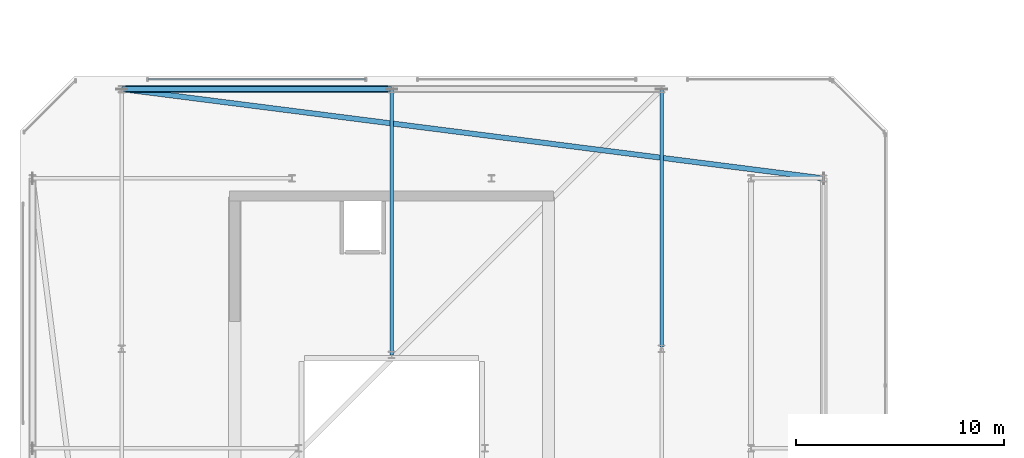
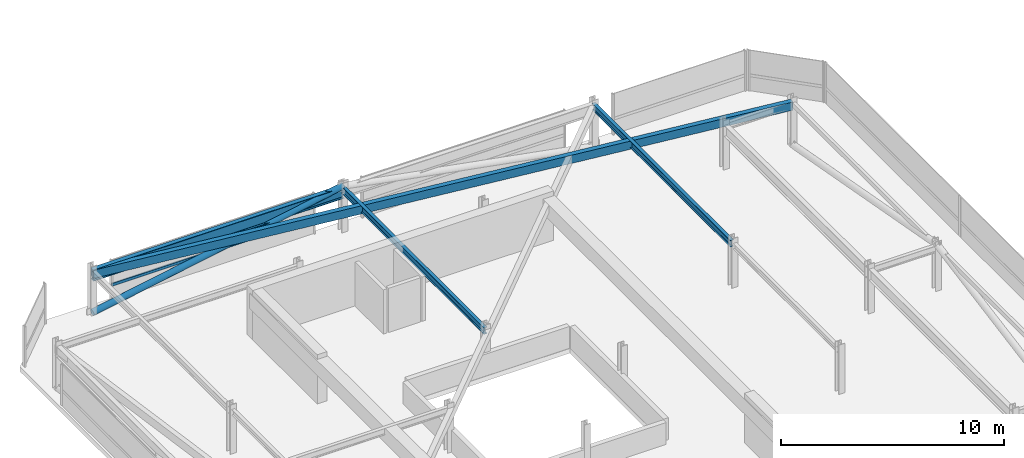
# One storey, part 23 of 42: 4 beams, 2 members, 1 element without a shape of its own.
"""IFC4 building model written with IfcOpenShell, lengths in metres."""

from ifc_helpers import new_model, si_unit, direction, frame, origin, origin_2d, place, context, subcontext, project, spatial, hollow_rectangle, hollow_circle, i_section, extrude, material, material_profile, profile_set, type_object, element, aggregate, save


model = new_model("IFC4")

# Units and contexts
model_context = context("Model", 3, precision=1e-05, world=origin(), true_north=direction((0.0, 1.0)))
body_context = subcontext(model_context, "Body", "Model", "MODEL_VIEW")
ifc_project = project(units=[si_unit("LENGTHUNIT", "METRE"), si_unit("AREAUNIT", "SQUARE_METRE"), si_unit("VOLUMEUNIT", "CUBIC_METRE"), si_unit("PLANEANGLEUNIT", "RADIAN"), si_unit("MASSUNIT", "GRAM", prefix="KILO")], contexts=[model_context])

# Site, building, storey
site_placement = place(None, origin())
site = spatial("IfcSite", under=ifc_project, at=site_placement, CompositionType="ELEMENT")
building_placement = place(site_placement, origin())
building = spatial("IfcBuilding", under=site, at=building_placement, Name="Thornwick Lancets Civic Towers", CompositionType="ELEMENT")
storey_placement = place(building_placement, frame((0.0, 0.0, 284.10009765625)))
storey = spatial("IfcBuildingStorey", under=building, at=storey_placement, Name="C02", CompositionType="ELEMENT", Elevation=284.10009765625)

# Beams
ifc_material_1 = material(Name="Steel S355JR", Category="steel")
ifc_material_profile_1 = material_profile(ifc_material_1, i_section(OverallWidth=0.230224609375, OverallDepth=0.6171875, WebThickness=0.01318359375, FlangeThickness=0.022216796875, FilletRadius=0.0126953125, at=origin_2d()), Name="UKB 610x229x140")
ifc_profile_set_1 = profile_set([ifc_material_profile_1], Name="Steel S355JR")
beam_type_1 = type_object("IfcBeamType", Name="BM_GIRD_610_140", PredefinedType="BEAM", material=ifc_profile_set_1)
beam_1_placement = place(storey_placement, frame((12.5, 44.300048828125, 2.13134765625), z_axis=(1.0, 0.0, 0.0), x_axis=(0.0, 1.0, 0.0)))
element("IfcBeam", 1, at=beam_1_placement, inside=storey, type_object=beam_type_1, Name="BM-SPINE-C02-A-6-7", PredefinedType="BEAM", context=body_context, shape_type="SweptSolid", body=[
    extrude(i_section(OverallWidth=0.230224609375, OverallDepth=0.6171875, WebThickness=0.01318359375, FlangeThickness=0.022216796875, FilletRadius=0.0126953125, at=origin_2d()), origin(), (0.0, 0.0, 1.0), 13.0),
])
ifc_material_profile_2 = material_profile(ifc_material_1, i_section(OverallWidth=0.173095703125, OverallDepth=0.36328125, WebThickness=0.009033203125, FlangeThickness=0.015625, FilletRadius=0.01025390625, at=origin_2d()), Name="UKB 356x171x67")
ifc_profile_set_2 = profile_set([ifc_material_profile_2], Name="Steel S355JR")
beam_type_2 = type_object("IfcBeamType", Name="BM_JOIST_356_67", PredefinedType="JOIST", material=ifc_profile_set_2)
beam_2_placement = place(storey_placement, frame((25.5, 31.5, 2.25830078125), z_axis=(0.0, 1.0, 0.0), x_axis=(-1.0, 0.0, 0.0)))
element("IfcBeam", 2, at=beam_2_placement, inside=storey, type_object=beam_type_2, Name="BM-RADIN-C02-A08", PredefinedType="JOIST", context=body_context, shape_type="SweptSolid", body=[
    extrude(i_section(OverallWidth=0.173095703125, OverallDepth=0.36328125, WebThickness=0.009033203125, FlangeThickness=0.015625, FilletRadius=0.01025390625, at=origin_2d()), origin(), (0.0, 0.0, 1.0), 12.800048828125),
])
beam_3_placement = place(storey_placement, frame((38.5, 31.8798828125, 2.25830078125), z_axis=(0.0, 1.0, 0.0), x_axis=(-1.0, 0.0, 0.0)))
element("IfcBeam", 3, at=beam_3_placement, inside=storey, type_object=beam_type_2, Name="BM-RADIN-C02-A09", PredefinedType="JOIST", context=body_context, shape_type="SweptSolid", body=[
    extrude(i_section(OverallWidth=0.173095703125, OverallDepth=0.36328125, WebThickness=0.009033203125, FlangeThickness=0.015625, FilletRadius=0.01025390625, at=origin_2d()), origin(), (0.0, 0.0, 1.0), 12.420166015625),
])
ifc_material_profile_3 = material_profile(ifc_material_1, hollow_rectangle(XDim=0.25, YDim=0.449951171875, WallThickness=0.01611328125, at=origin_2d()), Name="RHS 450x250x16")
ifc_profile_set_3 = profile_set([ifc_material_profile_3], Name="Steel S355JR")
beam_type_3 = type_object("IfcBeamType", Name="BM_RING_RHS450", PredefinedType="BEAM", material=ifc_profile_set_3)
beam_4_placement = place(storey_placement, frame((46.300048828125, 40.0, 2.21484375), z_axis=(-0.992004437051, 0.126202998662, 0.0), x_axis=(-0.126202998662, -0.992004437051, 0.0)))
element("IfcBeam", 4, at=beam_4_placement, inside=storey, type_object=beam_type_3, Name="BM-CHAMF-C02-A-C1", PredefinedType="BEAM", context=body_context, shape_type="SweptSolid", body=[
    extrude(hollow_rectangle(XDim=0.25, YDim=0.449951171875, WallThickness=0.01611328125, at=origin_2d()), origin(), (0.0, 0.0, 1.0), 34.072509765625),
])

# Curtain wall, member
ifc_material_2 = material(Name="Crown ring acoustic-louvre and glazing screen wall", Category="glass")
curtain_wall_type = type_object("IfcCurtainWallType", Name="CW_SYS_07", PredefinedType="NOTDEFINED", material=ifc_material_2)
curtain_wall_placement = place(storey_placement, origin())
curtain_wall = element("IfcCurtainWall", 5, at=curtain_wall_placement, inside=storey, type_object=curtain_wall_type, Name="C02 Curtain Wall CW-C02-A-E4-S3", PredefinedType="NOTDEFINED")
ifc_material_3 = material(Name="Thermally broken bronze aluminium S355", Category="steel")
ifc_material_profile_4 = material_profile(ifc_material_3, hollow_rectangle(XDim=0.074951171875, YDim=0.14990234375, WallThickness=0.0048828125, at=origin_2d()), Name="RHS 150x75x5")
ifc_profile_set_4 = profile_set([ifc_material_profile_4], Name="Thermally broken bronze aluminium S355")
member_type_1 = type_object("IfcMemberType", Name="CW_TRN_150", PredefinedType="USERDEFINED", material=ifc_profile_set_4)
member_1_placement = place(storey_placement, frame((24.22998046875, 44.7646484375, 0.849853515625), z_axis=(-1.0, 0.0, 0.0), x_axis=(0.0, -1.0, 0.0)))
member_1 = element("IfcMember", 6, at=member_1_placement, type_object=member_type_1, Name="CW-C02-A-E4-S3 Transom 0", ObjectType="TRANSOM", PredefinedType="USERDEFINED", context=body_context, shape_type="SweptSolid", body=[
    extrude(hollow_rectangle(XDim=0.074951171875, YDim=0.14990234375, WallThickness=0.0048828125, at=origin_2d()), origin(), (0.0, 0.0, 1.0), 10.4599609375),
])
aggregate(curtain_wall, [member_1])

# Member
ifc_material_profile_5 = material_profile(ifc_material_1, hollow_circle(Radius=0.161865234375, WallThickness=0.01611328125, at=origin_2d()), Name="CHS 323.9x16")
ifc_profile_set_5 = profile_set([ifc_material_profile_5], Name="Steel S355JR")
member_type_2 = type_object("IfcMemberType", Name="MEM_CROWN_CHS324", PredefinedType="BRACE", material=ifc_profile_set_5)
member_2_placement = place(storey_placement, frame((12.5, 44.300048828125, 0.0498046875), z_axis=(0.983515136313, 0.0, 0.180825818519), x_axis=(0.0, 1.0, 0.0)))
element("IfcMember", 7, at=member_2_placement, inside=storey, type_object=member_type_2, Name="C02 Crown Ring Lancet Rib A-S2-L", PredefinedType="BRACE", context=body_context, shape_type="SweptSolid", body=[
    extrude(hollow_circle(Radius=0.161865234375, WallThickness=0.01611328125, at=origin_2d()), origin(), (0.0, 0.0, 1.0), 13.2177734375),
])

save(model, "model.ifc")
